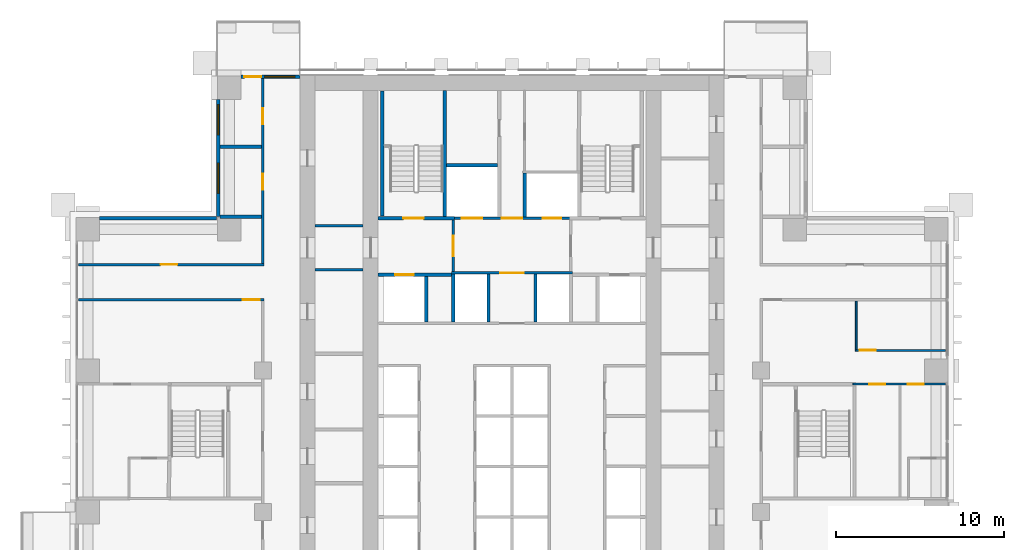
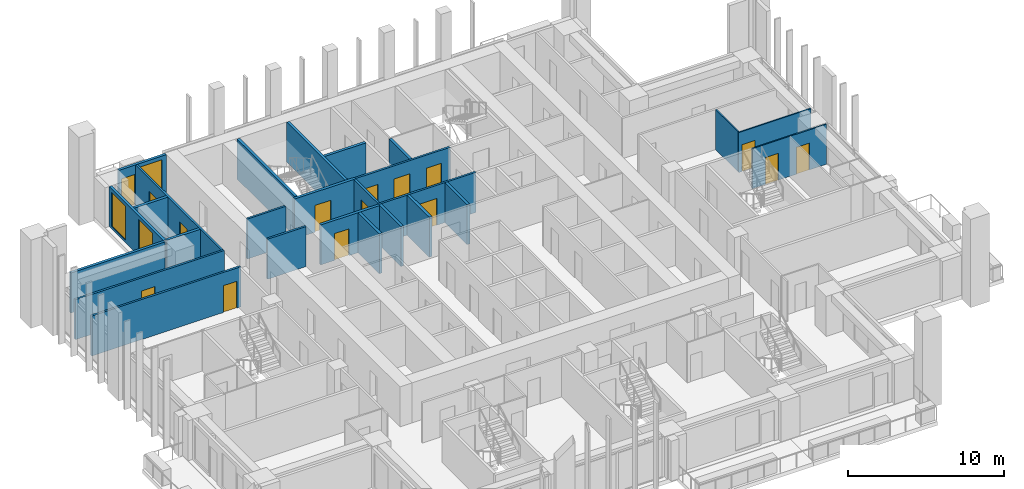
# One storey, part 12 of 19: 26 walls, 15 doors, 3 windows, 18 openings.
"""IFC4 building model written with IfcOpenShell, lengths in metres."""

from ifc_helpers import new_model, si_unit, direction, frame, frame_2d, origin, place, context, subcontext, project, spatial, rectangle, extrude, material, layer, layer_set, type_object, element, fill, save


model = new_model("IFC4")

# Units and contexts
model_context = context("Model", 3, precision=1e-05, world=origin(), true_north=direction((0.0, 1.0)))
body_context = subcontext(model_context, "Body", "Model", "MODEL_VIEW")
ifc_project = project(units=[si_unit("LENGTHUNIT", "METRE"), si_unit("AREAUNIT", "SQUARE_METRE"), si_unit("VOLUMEUNIT", "CUBIC_METRE"), si_unit("PLANEANGLEUNIT", "RADIAN"), si_unit("MASSUNIT", "GRAM", prefix="KILO")], contexts=[model_context])

# Site, building, storey
site_placement = place(None, origin())
site = spatial("IfcSite", under=ifc_project, at=site_placement, CompositionType="ELEMENT")
building_placement = place(site_placement, origin())
building = spatial("IfcBuilding", under=site, at=building_placement, Name="Vermilion Ogive Tower", CompositionType="ELEMENT")
storey_placement = place(building_placement, frame((0.0, 0.0, 62.10009765625)))
storey = spatial("IfcBuildingStorey", under=building, at=storey_placement, Name="L14", CompositionType="ELEMENT", Elevation=62.10009765625)

# Wall, openings, doors
ifc_material_1 = material(Name="Gypsum board partition on steel studs", Category="steel")
ifc_layer_1 = layer(ifc_material_1, 0.10009765625)
ifc_layer_set_1 = layer_set([ifc_layer_1], Name="Partition 100 inner")
wall_type_1 = type_object("IfcWallType", Name="Partition 100 inner", PredefinedType="PARTITIONING", material=ifc_layer_set_1)
wall_1_placement = place(storey_placement, frame((20.25, 3.39990234375, 0.0), z_axis=(0.0, 0.0, 1.0), x_axis=(1.0, 0.0, 0.0)))
wall_1 = element("IfcWall", 1, at=wall_1_placement, inside=storey, type_object=wall_type_1, Name="L14-W-W026", PredefinedType="PARTITIONING", context=body_context, shape_type="SweptSolid", body=[
    extrude(rectangle(XDim=5.5, YDim=0.10009765625, at=frame_2d((2.75, 0.0))), origin(), (0.0, 0.0, 1.0), 3.1298828125),
])
opening_1_placement = place(wall_1_placement, frame((3.27490234375, 0.0, 0.0)))
opening_1 = element("IfcOpeningElement", 2, at=opening_1_placement, cuts=wall_1, Name="Opening D1G5014", PredefinedType="OPENING", context=body_context, shape_type="SweptSolid", body=[
    extrude(rectangle(XDim=0.949951171875, YDim=2.10009765625, at=frame_2d((0.47509765625, 1.050048828125))), frame((0.0, 0.06005859375, 0.0), z_axis=(0.0, -1.0, 0.0), x_axis=(1.0, 0.0, 0.0)), (0.0, 0.0, 1.0), 0.1201171875),
])
opening_2_placement = place(wall_1_placement, frame((0.97509765625, 0.0, 0.0)))
opening_2 = element("IfcOpeningElement", 3, at=opening_2_placement, cuts=wall_1, Name="Opening D1G5017", PredefinedType="OPENING", context=body_context, shape_type="SweptSolid", body=[
    extrude(rectangle(XDim=0.949951171875, YDim=2.10009765625, at=frame_2d((0.47509765625, 1.050048828125))), frame((0.0, 0.06005859375, 0.0), z_axis=(0.0, -1.0, 0.0), x_axis=(1.0, 0.0, 0.0)), (0.0, 0.0, 1.0), 0.1201171875),
])
ifc_material_2 = material(Name="Timber door leaf", Category="wood")
door_type_1 = type_object("IfcDoorType", Name="Inner door 950 x 2100 FD30", OperationType="SINGLE_SWING_LEFT", PredefinedType="DOOR", material=ifc_material_2)
door_1_placement = place(opening_1_placement, origin())
door_1 = element("IfcDoor", 4, at=door_1_placement, inside=storey, type_object=door_type_1, Name="L14-D-D014", OperationType="SINGLE_SWING_RIGHT", OverallHeight=2.10009765625, OverallWidth=0.949951171875, PredefinedType="DOOR", context=body_context, shape_type="SweptSolid", body=[
    extrude(rectangle(XDim=0.949951171875, YDim=2.10009765625, at=frame_2d((0.47509765625, 1.050048828125))), frame((0.0, 0.02490234375, 0.0), z_axis=(0.0, -1.0, 0.0), x_axis=(1.0, 0.0, 0.0)), (0.0, 0.0, 1.0), 0.050048828125),
])
fill(opening_1, door_1)
door_2_placement = place(opening_2_placement, origin())
door_2 = element("IfcDoor", 5, at=door_2_placement, inside=storey, type_object=door_type_1, Name="L14-D-D017", OperationType="SINGLE_SWING_RIGHT", OverallHeight=2.10009765625, OverallWidth=0.949951171875, PredefinedType="DOOR", context=body_context, shape_type="SweptSolid", body=[
    extrude(rectangle(XDim=0.949951171875, YDim=2.10009765625, at=frame_2d((0.47509765625, 1.050048828125))), frame((0.0, 0.02490234375, 0.0), z_axis=(0.0, -1.0, 0.0), x_axis=(1.0, 0.0, 0.0)), (0.0, 0.0, 1.0), 0.050048828125),
])
fill(opening_2, door_2)

# Wall, opening, door
wall_2_placement = place(storey_placement, frame((20.39990234375, 5.39990234375, 0.0), z_axis=(0.0, 0.0, 1.0), x_axis=(1.0, 0.0, 0.0)))
wall_2 = element("IfcWall", 6, at=wall_2_placement, inside=storey, type_object=wall_type_1, Name="L14-W-W027", PredefinedType="PARTITIONING", context=body_context, shape_type="SweptSolid", body=[
    extrude(rectangle(XDim=5.35009765625, YDim=0.10009765625, at=frame_2d((2.675048828125, 0.0))), origin(), (0.0, 0.0, 1.0), 3.1298828125),
])
opening_3_placement = place(wall_2_placement, frame((0.25, 0.0, 0.0)))
opening_3 = element("IfcOpeningElement", 7, at=opening_3_placement, cuts=wall_2, Name="Opening D1G5015", PredefinedType="OPENING", context=body_context, shape_type="SweptSolid", body=[
    extrude(rectangle(XDim=0.949951171875, YDim=2.10009765625, at=frame_2d((0.47509765625, 1.050048828125))), frame((0.0, 0.06005859375, 0.0), z_axis=(0.0, -1.0, 0.0), x_axis=(1.0, 0.0, 0.0)), (0.0, 0.0, 1.0), 0.1201171875),
])
door_3_placement = place(opening_3_placement, origin())
door_3 = element("IfcDoor", 8, at=door_3_placement, inside=storey, type_object=door_type_1, Name="L14-D-D015", OperationType="SINGLE_SWING_LEFT", OverallHeight=2.10009765625, OverallWidth=0.949951171875, PredefinedType="DOOR", context=body_context, shape_type="SweptSolid", body=[
    extrude(rectangle(XDim=0.949951171875, YDim=2.10009765625, at=frame_2d((0.47509765625, 1.050048828125))), frame((0.0, 0.02490234375, 0.0), z_axis=(0.0, -1.0, 0.0), x_axis=(1.0, 0.0, 0.0)), (0.0, 0.0, 1.0), 0.050048828125),
])
fill(opening_3, door_3)

# Wall
wall_3_placement = place(storey_placement, frame((20.449951171875, 5.449951171875, 0.0), z_axis=(0.0, 0.0, 1.0), x_axis=(0.0, 1.0, 0.0)))
element("IfcWall", 9, at=wall_3_placement, inside=storey, type_object=wall_type_1, Name="L14-W-W058", PredefinedType="PARTITIONING", context=body_context, shape_type="SweptSolid", body=[
    extrude(rectangle(XDim=2.875, YDim=0.10009765625, at=frame_2d((1.4375, 0.0))), origin(), (0.0, 0.0, 1.0), 3.1298828125),
])

# Wall, opening, door
ifc_material_3 = material(Name="Gypsum board partition on steel studs", Category="steel")
ifc_layer_2 = layer(ifc_material_3, 0.14990234375)
ifc_layer_set_2 = layer_set([ifc_layer_2], Name="Partition 150 corridor")
wall_type_2 = type_object("IfcWallType", Name="Partition 150 corridor", PredefinedType="PARTITIONING", material=ifc_layer_set_2)
wall_4_placement = place(storey_placement, frame((-25.75, 8.39990234375, 0.0), z_axis=(0.0, 0.0, 1.0), x_axis=(1.0, 0.0, 0.0)))
wall_4 = element("IfcWall", 10, at=wall_4_placement, inside=storey, type_object=wall_type_2, Name="L14-W-W028", PredefinedType="PARTITIONING", context=body_context, shape_type="SweptSolid", body=[
    extrude(rectangle(XDim=11.02490234375, YDim=0.14990234375, at=frame_2d((5.512451171875, 0.0))), origin(), (0.0, 0.0, 1.0), 3.1298828125),
])
opening_4_placement = place(wall_4_placement, frame((9.75, 0.0, 0.0)))
opening_4 = element("IfcOpeningElement", 11, at=opening_4_placement, cuts=wall_4, Name="Opening D1G5003", PredefinedType="OPENING", context=body_context, shape_type="SweptSolid", body=[
    extrude(rectangle(XDim=1.0, YDim=2.10009765625, at=frame_2d((0.5, 1.050048828125))), frame((0.0, 0.0849609375, 0.0), z_axis=(0.0, -1.0, 0.0), x_axis=(1.0, 0.0, 0.0)), (0.0, 0.0, 1.0), 0.169921875),
])
ifc_material_4 = material(Name="Timber door leaf", Category="wood")
door_type_2 = type_object("IfcDoorType", Name="Unit door 1000 x 2100 FD30S", OperationType="SINGLE_SWING_LEFT", PredefinedType="DOOR", material=ifc_material_4)
door_4_placement = place(opening_4_placement, origin())
door_4 = element("IfcDoor", 12, at=door_4_placement, inside=storey, type_object=door_type_2, Name="L14-D-D003", OperationType="SINGLE_SWING_RIGHT", OverallHeight=2.10009765625, OverallWidth=1.0, PredefinedType="DOOR", context=body_context, shape_type="SweptSolid", body=[
    extrude(rectangle(XDim=1.0, YDim=2.10009765625, at=frame_2d((0.5, 1.050048828125))), frame((0.0, 0.02490234375, 0.0), z_axis=(0.0, -1.0, 0.0), x_axis=(1.0, 0.0, 0.0)), (0.0, 0.0, 1.0), 0.050048828125),
])
fill(opening_4, door_4)

wall_5_placement = place(storey_placement, frame((-25.75, 10.5, 0.0), z_axis=(0.0, 0.0, 1.0), x_axis=(1.0, 0.0, 0.0)))
wall_5 = element("IfcWall", 13, at=wall_5_placement, inside=storey, type_object=wall_type_2, Name="L14-W-W030", PredefinedType="PARTITIONING", context=body_context, shape_type="SweptSolid", body=[
    extrude(rectangle(XDim=11.02490234375, YDim=0.14990234375, at=frame_2d((5.512451171875, 0.0))), origin(), (0.0, 0.0, 1.0), 3.1298828125),
])
opening_5_placement = place(wall_5_placement, frame((4.875, 0.0, 0.0)))
opening_5 = element("IfcOpeningElement", 14, at=opening_5_placement, cuts=wall_5, Name="Opening D1G5033", PredefinedType="OPENING", context=body_context, shape_type="SweptSolid", body=[
    extrude(rectangle(XDim=1.0, YDim=2.10009765625, at=frame_2d((0.5, 1.050048828125))), frame((0.0, 0.0849609375, 0.0), z_axis=(0.0, -1.0, 0.0), x_axis=(1.0, 0.0, 0.0)), (0.0, 0.0, 1.0), 0.169921875),
])
door_5_placement = place(opening_5_placement, origin())
door_5 = element("IfcDoor", 15, at=door_5_placement, inside=storey, type_object=door_type_2, Name="L14-D-D033", OperationType="SINGLE_SWING_RIGHT", OverallHeight=2.10009765625, OverallWidth=1.0, PredefinedType="DOOR", context=body_context, shape_type="SweptSolid", body=[
    extrude(rectangle(XDim=1.0, YDim=2.10009765625, at=frame_2d((0.5, 1.050048828125))), frame((0.0, 0.02490234375, 0.0), z_axis=(0.0, -1.0, 0.0), x_axis=(1.0, 0.0, 0.0)), (0.0, 0.0, 1.0), 0.050048828125),
])
fill(opening_5, door_5)

# Wall, openings, doors
wall_6_placement = place(storey_placement, frame((-14.800048828125, 10.574951171875, 0.0), z_axis=(0.0, 0.0, 1.0), x_axis=(0.0, 1.0, 0.0)))
wall_6 = element("IfcWall", 16, at=wall_6_placement, inside=storey, type_object=wall_type_2, Name="L14-W-W043", PredefinedType="PARTITIONING", context=body_context, shape_type="SweptSolid", body=[
    extrude(rectangle(XDim=10.97509765625, YDim=0.14990234375, at=frame_2d((5.487548828125, 0.0))), origin(), (0.0, 0.0, 1.0), 3.1298828125),
])
opening_6_placement = place(wall_6_placement, frame((4.375, 0.0, 0.0)))
opening_6 = element("IfcOpeningElement", 17, at=opening_6_placement, cuts=wall_6, Name="Opening D1G5006", PredefinedType="OPENING", context=body_context, shape_type="SweptSolid", body=[
    extrude(rectangle(XDim=0.949951171875, YDim=2.10009765625, at=frame_2d((0.47509765625, 1.050048828125))), frame((0.0, 0.0849609375, 0.0), z_axis=(0.0, -1.0, 0.0), x_axis=(1.0, 0.0, 0.0)), (0.0, 0.0, 1.0), 0.169921875),
])
opening_7_placement = place(wall_6_placement, frame((8.275146484375, 0.0, 0.0)))
opening_7 = element("IfcOpeningElement", 18, at=opening_7_placement, cuts=wall_6, Name="Opening D1G5007", PredefinedType="OPENING", context=body_context, shape_type="SweptSolid", body=[
    extrude(rectangle(XDim=0.949951171875, YDim=2.10009765625, at=frame_2d((0.47509765625, 1.050048828125))), frame((0.0, 0.0849609375, 0.0), z_axis=(0.0, -1.0, 0.0), x_axis=(1.0, 0.0, 0.0)), (0.0, 0.0, 1.0), 0.169921875),
])
ifc_material_5 = material(Name="Timber door leaf", Category="wood")
door_type_3 = type_object("IfcDoorType", Name="Unit door 950 x 2100 FD30S", OperationType="SINGLE_SWING_LEFT", PredefinedType="DOOR", material=ifc_material_5)
door_6_placement = place(opening_6_placement, origin())
door_6 = element("IfcDoor", 19, at=door_6_placement, inside=storey, type_object=door_type_3, Name="L14-D-D006", OperationType="SINGLE_SWING_LEFT", OverallHeight=2.10009765625, OverallWidth=0.949951171875, PredefinedType="DOOR", context=body_context, shape_type="SweptSolid", body=[
    extrude(rectangle(XDim=0.949951171875, YDim=2.10009765625, at=frame_2d((0.47509765625, 1.050048828125))), frame((0.0, 0.02490234375, 0.0), z_axis=(0.0, -1.0, 0.0), x_axis=(1.0, 0.0, 0.0)), (0.0, 0.0, 1.0), 0.050048828125),
])
fill(opening_6, door_6)
door_7_placement = place(opening_7_placement, origin())
door_7 = element("IfcDoor", 20, at=door_7_placement, inside=storey, type_object=door_type_3, Name="L14-D-D007", OperationType="SINGLE_SWING_RIGHT", OverallHeight=2.10009765625, OverallWidth=0.949951171875, PredefinedType="DOOR", context=body_context, shape_type="SweptSolid", body=[
    extrude(rectangle(XDim=0.949951171875, YDim=2.10009765625, at=frame_2d((0.47509765625, 1.050048828125))), frame((0.0, 0.02490234375, 0.0), z_axis=(0.0, -1.0, 0.0), x_axis=(1.0, 0.0, 0.0)), (0.0, 0.0, 1.0), 0.050048828125),
])
fill(opening_7, door_7)

# Wall, opening, door
wall_7_placement = place(storey_placement, frame((-3.60009765625, 10.0, 0.0), z_axis=(0.0, 0.0, 1.0), x_axis=(1.0, 0.0, 0.0)))
wall_7 = element("IfcWall", 21, at=wall_7_placement, inside=storey, type_object=wall_type_2, Name="L14-CK-W-W016", PredefinedType="PARTITIONING", context=body_context, shape_type="SweptSolid", body=[
    extrude(rectangle(XDim=7.2001953125, YDim=0.14990234375, at=frame_2d((3.60009765625, 0.0))), origin(), (0.0, 0.0, 1.0), 3.1298828125),
])
opening_8_placement = place(wall_7_placement, frame((2.900146484375, 0.0, 0.0)))
opening_8 = element("IfcOpeningElement", 22, at=opening_8_placement, cuts=wall_7, Name="Opening DAA094", PredefinedType="OPENING", context=body_context, shape_type="SweptSolid", body=[
    extrude(rectangle(XDim=1.39990234375, YDim=2.10009765625, at=frame_2d((0.699951171875, 1.050048828125))), frame((0.0, 0.0849609375, 0.0), z_axis=(0.0, -1.0, 0.0), x_axis=(1.0, 0.0, 0.0)), (0.0, 0.0, 1.0), 0.169921875),
])
ifc_material_6 = material(Name="Timber door leaf", Category="wood")
door_type_4 = type_object("IfcDoorType", Name="Lobby door 1400 x 2100 FD60S", OperationType="SINGLE_SWING_LEFT", PredefinedType="DOOR", material=ifc_material_6)
door_8_placement = place(opening_8_placement, origin())
door_8 = element("IfcDoor", 23, at=door_8_placement, inside=storey, type_object=door_type_4, Name="L14-CK-D-D016", OperationType="SINGLE_SWING_RIGHT", OverallHeight=2.10009765625, OverallWidth=1.39990234375, PredefinedType="DOOR", context=body_context, shape_type="SweptSolid", body=[
    extrude(rectangle(XDim=1.39990234375, YDim=2.10009765625, at=frame_2d((0.699951171875, 1.050048828125))), frame((0.0, 0.02490234375, 0.0), z_axis=(0.0, -1.0, 0.0), x_axis=(1.0, 0.0, 0.0)), (0.0, 0.0, 1.0), 0.050048828125),
])
fill(opening_8, door_8)

# Wall, openings, doors
wall_8_placement = place(storey_placement, frame((-3.574951171875, 13.25, 0.0), z_axis=(0.0, 0.0, 1.0), x_axis=(1.0, 0.0, 0.0)))
wall_8 = element("IfcWall", 24, at=wall_8_placement, inside=storey, type_object=wall_type_2, Name="L14-CK-W-W018", PredefinedType="PARTITIONING", context=body_context, shape_type="SweptSolid", body=[
    extrude(rectangle(XDim=7.14990234375, YDim=0.14990234375, at=frame_2d((3.574951171875, 0.0))), origin(), (0.0, 0.0, 1.0), 3.1298828125),
])
opening_9_placement = place(wall_8_placement, frame((0.599853515625, 0.0, 0.0)))
opening_9 = element("IfcOpeningElement", 25, at=opening_9_placement, cuts=wall_8, Name="Opening DAA113", PredefinedType="OPENING", context=body_context, shape_type="SweptSolid", body=[
    extrude(rectangle(XDim=1.199951171875, YDim=2.10009765625, at=frame_2d((0.60009765625, 1.050048828125))), frame((0.0, 0.0849609375, 0.0), z_axis=(0.0, -1.0, 0.0), x_axis=(1.0, 0.0, 0.0)), (0.0, 0.0, 1.0), 0.169921875),
])
opening_10_placement = place(wall_8_placement, frame((5.39990234375, 0.0, 0.0)))
opening_10 = element("IfcOpeningElement", 26, at=opening_10_placement, cuts=wall_8, Name="Opening DAA104", PredefinedType="OPENING", context=body_context, shape_type="SweptSolid", body=[
    extrude(rectangle(XDim=1.10009765625, YDim=2.10009765625, at=frame_2d((0.550048828125, 1.050048828125))), frame((0.0, 0.0849609375, 0.0), z_axis=(0.0, -1.0, 0.0), x_axis=(1.0, 0.0, 0.0)), (0.0, 0.0, 1.0), 0.169921875),
])
opening_11_placement = place(wall_8_placement, frame((2.974853515625, 0.0, 0.0)))
opening_11 = element("IfcOpeningElement", 27, at=opening_11_placement, cuts=wall_8, Name="Opening DAA095", PredefinedType="OPENING", context=body_context, shape_type="SweptSolid", body=[
    extrude(rectangle(XDim=1.199951171875, YDim=2.10009765625, at=frame_2d((0.60009765625, 1.050048828125))), frame((0.0, 0.0849609375, 0.0), z_axis=(0.0, -1.0, 0.0), x_axis=(1.0, 0.0, 0.0)), (0.0, 0.0, 1.0), 0.169921875),
])
ifc_material_7 = material(Name="Stainless steel", Category="steel")
door_type_5 = type_object("IfcDoorType", Name="Lift landing door 1100 x 2100", OperationType="SLIDING_TO_LEFT", PredefinedType="DOOR", material=ifc_material_7)
door_9_placement = place(opening_10_placement, origin())
door_9 = element("IfcDoor", 28, at=door_9_placement, inside=storey, type_object=door_type_5, Name="L14-CK-D-D018", OperationType="SLIDING_TO_LEFT", OverallHeight=2.10009765625, OverallWidth=1.10009765625, PredefinedType="DOOR", context=body_context, shape_type="SweptSolid", body=[
    extrude(rectangle(XDim=1.10009765625, YDim=2.10009765625, at=frame_2d((0.550048828125, 1.050048828125))), frame((0.0, 0.02490234375, 0.0), z_axis=(0.0, -1.0, 0.0), x_axis=(1.0, 0.0, 0.0)), (0.0, 0.0, 1.0), 0.050048828125),
])
fill(opening_10, door_9)
ifc_material_8 = material(Name="Stainless steel", Category="steel")
door_type_6 = type_object("IfcDoorType", Name="Lift landing door 1200 x 2100", OperationType="SLIDING_TO_LEFT", PredefinedType="DOOR", material=ifc_material_8)
door_10_placement = place(opening_9_placement, origin())
door_10 = element("IfcDoor", 29, at=door_10_placement, inside=storey, type_object=door_type_6, Name="L14-CK-D-D017", OperationType="SLIDING_TO_RIGHT", OverallHeight=2.10009765625, OverallWidth=1.199951171875, PredefinedType="DOOR", context=body_context, shape_type="SweptSolid", body=[
    extrude(rectangle(XDim=1.199951171875, YDim=2.10009765625, at=frame_2d((0.60009765625, 1.050048828125))), frame((0.0, 0.02490234375, 0.0), z_axis=(0.0, -1.0, 0.0), x_axis=(1.0, 0.0, 0.0)), (0.0, 0.0, 1.0), 0.050048828125),
])
fill(opening_9, door_10)
ifc_material_9 = material(Name="Timber door leaf", Category="wood")
door_type_7 = type_object("IfcDoorType", Name="Service door 1200 x 2100 FD60", OperationType="SINGLE_SWING_LEFT", PredefinedType="DOOR", material=ifc_material_9)
door_11_placement = place(opening_11_placement, origin())
door_11 = element("IfcDoor", 30, at=door_11_placement, inside=storey, type_object=door_type_7, Name="L14-CK-D-D019", OperationType="SINGLE_SWING_RIGHT", OverallHeight=2.10009765625, OverallWidth=1.199951171875, PredefinedType="DOOR", context=body_context, shape_type="SweptSolid", body=[
    extrude(rectangle(XDim=1.199951171875, YDim=2.10009765625, at=frame_2d((0.60009765625, 1.050048828125))), frame((0.0, 0.02490234375, 0.0), z_axis=(0.0, -1.0, 0.0), x_axis=(1.0, 0.0, 0.0)), (0.0, 0.0, 1.0), 0.050048828125),
])
fill(opening_11, door_11)

# Wall, opening, door
wall_9_placement = place(storey_placement, frame((-3.5, 10.074951171875, 0.0), z_axis=(0.0, 0.0, 1.0), x_axis=(0.0, 1.0, 0.0)))
wall_9 = element("IfcWall", 31, at=wall_9_placement, inside=storey, type_object=wall_type_2, Name="L14-CK-W-W026", PredefinedType="PARTITIONING", context=body_context, shape_type="SweptSolid", body=[
    extrude(rectangle(XDim=3.074951171875, YDim=0.14990234375, at=frame_2d((1.53759765625, 0.0))), origin(), (0.0, 0.0, 1.0), 3.1298828125),
])
opening_12_placement = place(wall_9_placement, frame((0.925048828125, 0.0, 0.0)))
opening_12 = element("IfcOpeningElement", 32, at=opening_12_placement, cuts=wall_9, Name="Opening DAA091", PredefinedType="OPENING", context=body_context, shape_type="SweptSolid", body=[
    extrude(rectangle(XDim=1.199951171875, YDim=2.10009765625, at=frame_2d((0.60009765625, 1.050048828125))), frame((0.0, 0.0849609375, 0.0), z_axis=(0.0, -1.0, 0.0), x_axis=(1.0, 0.0, 0.0)), (0.0, 0.0, 1.0), 0.169921875),
])
ifc_material_10 = material(Name="Timber door leaf", Category="wood")
door_type_8 = type_object("IfcDoorType", Name="Lobby door 1200 x 2100 FD60S", OperationType="SINGLE_SWING_LEFT", PredefinedType="DOOR", material=ifc_material_10)
door_12_placement = place(opening_12_placement, origin())
door_12 = element("IfcDoor", 33, at=door_12_placement, inside=storey, type_object=door_type_8, Name="L14-CK-D-D022", OperationType="SINGLE_SWING_RIGHT", OverallHeight=2.10009765625, OverallWidth=1.199951171875, PredefinedType="DOOR", context=body_context, shape_type="SweptSolid", body=[
    extrude(rectangle(XDim=1.199951171875, YDim=2.10009765625, at=frame_2d((0.60009765625, 1.050048828125))), frame((0.0, 0.02490234375, 0.0), z_axis=(0.0, -1.0, 0.0), x_axis=(1.0, 0.0, 0.0)), (0.0, 0.0, 1.0), 0.050048828125),
])
fill(opening_12, door_12)

# Walls
for number, where, z_axis, x_axis, name in (
    (34, (-11.698974609375, 10.199951171875, 0.0), (0.0, 0.0, 1.0), (1.0, 0.0, 0.0), "L14-CKW-W-W004"),
    (35, (-11.698974609375, 12.800048828125, 0.0), (0.0, 0.0, 1.0), (1.0, 0.0, 0.0), "L14-CKW-W-W005"),
):
    element("IfcWall", number, at=place(storey_placement, frame(where, z_axis=z_axis, x_axis=x_axis)), inside=storey, type_object=wall_type_2, Name=name, PredefinedType="PARTITIONING", context=body_context, shape_type="SweptSolid", body=[
        extrude(rectangle(XDim=2.847900390625, YDim=0.14990234375, at=frame_2d((1.423828125, 0.0))), origin(), (0.0, 0.0, 1.0), 3.1298828125),
    ])
ifc_material_11 = material(Name="Gypsum board partition on steel studs", Category="steel")
ifc_layer_3 = layer(ifc_material_11, 0.199951171875)
ifc_layer_set_3 = layer_set([ifc_layer_3], Name="Partition 200 party")
wall_type_3 = type_object("IfcWallType", Name="Partition 200 party", PredefinedType="PARTITIONING", material=ifc_layer_set_3)
for number, where, z_axis, x_axis, name in (
    (36, (-17.35009765625, 13.35009765625, 0.0), (0.0, 0.0, 1.0), (1.0, 0.0, 0.0), "L14-W-W032"),
    (37, (-17.35009765625, 17.5, 0.0), (0.0, 0.0, 1.0), (1.0, 0.0, 0.0), "L14-W-W034"),
):
    element("IfcWall", number, at=place(storey_placement, frame(where, z_axis=z_axis, x_axis=x_axis)), inside=storey, type_object=wall_type_3, Name=name, PredefinedType="PARTITIONING", context=body_context, shape_type="SweptSolid", body=[
        extrude(rectangle(XDim=2.47509765625, YDim=0.199951171875, at=frame_2d((1.237548828125, 0.0))), origin(), (0.0, 0.0, 1.0), 3.1298828125),
    ])

# Wall, opening, door
wall_10_placement = place(storey_placement, frame((-7.948974609375, 9.89990234375, 0.0), z_axis=(0.0, 0.0, 1.0), x_axis=(1.0, 0.0, 0.0)))
wall_10 = element("IfcWall", 38, at=wall_10_placement, inside=storey, type_object=wall_type_3, Name="L14-CK-W-W014", PredefinedType="PARTITIONING", context=body_context, shape_type="SweptSolid", body=[
    extrude(rectangle(XDim=4.348876953125, YDim=0.199951171875, at=frame_2d((2.17431640625, 0.0))), origin(), (0.0, 0.0, 1.0), 3.1298828125),
])
opening_13_placement = place(wall_10_placement, frame((0.9990234375, 0.0, 0.0)))
opening_13 = element("IfcOpeningElement", 39, at=opening_13_placement, cuts=wall_10, Name="Opening DAA112", PredefinedType="OPENING", context=body_context, shape_type="SweptSolid", body=[
    extrude(rectangle(XDim=1.10009765625, YDim=2.10009765625, at=frame_2d((0.550048828125, 1.050048828125))), frame((0.0, 0.10986328125, 0.0), z_axis=(0.0, -1.0, 0.0), x_axis=(1.0, 0.0, 0.0)), (0.0, 0.0, 1.0), 0.219970703125),
])
door_13_placement = place(opening_13_placement, origin())
door_13 = element("IfcDoor", 40, at=door_13_placement, inside=storey, type_object=door_type_5, Name="L14-CK-D-D012", OperationType="SLIDING_TO_RIGHT", OverallHeight=2.10009765625, OverallWidth=1.10009765625, PredefinedType="DOOR", context=body_context, shape_type="SweptSolid", body=[
    extrude(rectangle(XDim=1.10009765625, YDim=2.10009765625, at=frame_2d((0.550048828125, 1.050048828125))), frame((0.0, 0.02490234375, 0.0), z_axis=(0.0, -1.0, 0.0), x_axis=(1.0, 0.0, 0.0)), (0.0, 0.0, 1.0), 0.050048828125),
])
fill(opening_13, door_13)

# Walls
wall_11_placement = place(storey_placement, frame((-3.89990234375, 16.39990234375, 0.0), z_axis=(0.0, 0.0, 1.0), x_axis=(1.0, 0.0, 0.0)))
element("IfcWall", 41, at=wall_11_placement, inside=storey, type_object=wall_type_3, Name="L14-CK-W-W021", PredefinedType="PARTITIONING", context=body_context, shape_type="SweptSolid", body=[
    extrude(rectangle(XDim=3.0498046875, YDim=0.199951171875, at=frame_2d((1.52490234375, 0.0))), origin(), (0.0, 0.0, 1.0), 3.1298828125),
])
wall_12_placement = place(storey_placement, frame((-5.10009765625, 7.074951171875, 0.0), z_axis=(0.0, 0.0, 1.0), x_axis=(0.0, 1.0, 0.0)))
element("IfcWall", 42, at=wall_12_placement, inside=storey, type_object=wall_type_3, Name="L14-CK-W-W023", PredefinedType="PARTITIONING", context=body_context, shape_type="SweptSolid", body=[
    extrude(rectangle(XDim=2.72509765625, YDim=0.199951171875, at=frame_2d((1.362548828125, 0.0))), origin(), (0.0, 0.0, 1.0), 3.1298828125),
])
for number, where, z_axis, x_axis, name in (
    (43, (-3.5, 7.074951171875, 0.0), (0.0, 0.0, 1.0), (0.0, 1.0, 0.0), "L14-CK-W-W025"),
    (44, (-1.39990234375, 7.074951171875, 0.0), (0.0, 0.0, 1.0), (0.0, 1.0, 0.0), "L14-CK-W-W028"),
):
    element("IfcWall", number, at=place(storey_placement, frame(where, z_axis=z_axis, x_axis=x_axis)), inside=storey, type_object=wall_type_3, Name=name, PredefinedType="PARTITIONING", context=body_context, shape_type="SweptSolid", body=[
        extrude(rectangle(XDim=2.85009765625, YDim=0.199951171875, at=frame_2d((1.425048828125, 0.0))), origin(), (0.0, 0.0, 1.0), 3.1298828125),
    ])
wall_13_placement = place(storey_placement, frame((0.75, 13.324951171875, 0.0), z_axis=(0.0, 0.0, 1.0), x_axis=(0.0, 1.0, 0.0)))
element("IfcWall", 45, at=wall_13_placement, inside=storey, type_object=wall_type_3, Name="L14-CK-W-W031", PredefinedType="PARTITIONING", context=body_context, shape_type="SweptSolid", body=[
    extrude(rectangle(XDim=2.625, YDim=0.199951171875, at=frame_2d((1.3125, 0.0))), origin(), (0.0, 0.0, 1.0), 3.1298828125),
])
wall_14_placement = place(storey_placement, frame((1.39990234375, 7.074951171875, 0.0), z_axis=(0.0, 0.0, 1.0), x_axis=(0.0, 1.0, 0.0)))
element("IfcWall", 46, at=wall_14_placement, inside=storey, type_object=wall_type_3, Name="L14-CK-W-W033", PredefinedType="PARTITIONING", context=body_context, shape_type="SweptSolid", body=[
    extrude(rectangle(XDim=2.85009765625, YDim=0.199951171875, at=frame_2d((1.425048828125, 0.0))), origin(), (0.0, 0.0, 1.0), 3.1298828125),
])

# Wall, opening, door
ifc_material_12 = material(Name="Concrete B60", Category="concrete")
ifc_layer_4 = layer(ifc_material_12, 0.199951171875)
ifc_layer_set_4 = layer_set([ifc_layer_4], Name="Stair shaft wall 200 Concrete B60")
wall_type_4 = type_object("IfcWallType", Name="Stair shaft wall 200 Concrete B60", PredefinedType="SOLIDWALL", material=ifc_layer_set_4)
wall_15_placement = place(storey_placement, frame((-7.948974609375, 13.25, 0.0), z_axis=(0.0, 0.0, 1.0), x_axis=(1.0, 0.0, 0.0)))
wall_15 = element("IfcWall", 47, at=wall_15_placement, inside=storey, type_object=wall_type_4, Name="L14-CK-W-W017", PredefinedType="SOLIDWALL", context=body_context, shape_type="SweptSolid", body=[
    extrude(rectangle(XDim=4.52392578125, YDim=0.199951171875, at=frame_2d((2.261962890625, 0.0))), origin(), (0.0, 0.0, 1.0), 3.1298828125),
])
opening_14_placement = place(wall_15_placement, frame((1.4990234375, 0.0, 0.0)))
opening_14 = element("IfcOpeningElement", 48, at=opening_14_placement, cuts=wall_15, Name="Opening DAA100", PredefinedType="OPENING", context=body_context, shape_type="SweptSolid", body=[
    extrude(rectangle(XDim=1.199951171875, YDim=2.10009765625, at=frame_2d((0.60009765625, 1.050048828125))), frame((0.0, 0.10986328125, 0.0), z_axis=(0.0, -1.0, 0.0), x_axis=(1.0, 0.0, 0.0)), (0.0, 0.0, 1.0), 0.219970703125),
])
ifc_material_13 = material(Name="Timber door leaf", Category="wood")
door_type_9 = type_object("IfcDoorType", Name="Stair door 1200 x 2100 FD60S", OperationType="SINGLE_SWING_LEFT", PredefinedType="DOOR", material=ifc_material_13)
door_14_placement = place(opening_14_placement, origin())
door_14 = element("IfcDoor", 49, at=door_14_placement, inside=storey, type_object=door_type_9, Name="L14-CK-D-D011", OperationType="SINGLE_SWING_LEFT", OverallHeight=2.10009765625, OverallWidth=1.199951171875, PredefinedType="DOOR", context=body_context, shape_type="SweptSolid", body=[
    extrude(rectangle(XDim=1.199951171875, YDim=2.10009765625, at=frame_2d((0.60009765625, 1.050048828125))), frame((0.0, 0.02490234375, 0.0), z_axis=(0.0, -1.0, 0.0), x_axis=(1.0, 0.0, 0.0)), (0.0, 0.0, 1.0), 0.050048828125),
])
fill(opening_14, door_14)

# Walls
wall_16_placement = place(storey_placement, frame((-4.0, 13.35009765625, 0.0), z_axis=(0.0, 0.0, 1.0), x_axis=(0.0, 1.0, 0.0)))
element("IfcWall", 50, at=wall_16_placement, inside=storey, type_object=wall_type_4, Name="L14-CK-W-W024", PredefinedType="SOLIDWALL", context=body_context, shape_type="SweptSolid", body=[
    extrude(rectangle(XDim=7.4990234375, YDim=0.199951171875, at=frame_2d((3.74951171875, 0.0))), origin(), (0.0, 0.0, 1.0), 3.1298828125),
])
wall_17_placement = place(storey_placement, frame((-7.699951171875, 13.39990234375, 0.0), z_axis=(0.0, 0.0, 1.0), x_axis=(0.0, 1.0, 0.0)))
element("IfcWall", 51, at=wall_17_placement, inside=storey, type_object=wall_type_4, Name="L14-SW-R021-W1", PredefinedType="SOLIDWALL", context=body_context, shape_type="SweptSolid", body=[
    extrude(rectangle(XDim=7.400146484375, YDim=0.199951171875, at=frame_2d((3.7001953125, 0.0))), origin(), (0.0, 0.0, 1.0), 3.1298828125),
])

# Wall, openings, door, window
ifc_material_14 = material(Name="Aluminium window wall framing", Category="aluminium")
ifc_layer_5 = layer(ifc_material_14, 0.199951171875)
ifc_layer_set_5 = layer_set([ifc_layer_5], Name="Window wall")
wall_type_5 = type_object("IfcWallType", Name="Window wall", PredefinedType="STANDARD", material=ifc_layer_set_5)
wall_18_placement = place(storey_placement, frame((-12.60009765625, 21.64990234375, 0.0), z_axis=(0.0, 0.0, 1.0), x_axis=(-1.0, 0.0, 0.0)))
wall_18 = element("IfcWall", 52, at=wall_18_placement, inside=storey, type_object=wall_type_5, Name="Window wall N21", PredefinedType="STANDARD", context=body_context, shape_type="SweptSolid", body=[
    extrude(rectangle(XDim=3.5, YDim=0.199951171875, at=frame_2d((1.75, 0.0))), origin(), (0.0, 0.0, 1.0), 3.1298828125),
])
opening_15_placement = place(wall_18_placement, frame((0.300048828125, 0.0, 0.199951171875)))
opening_15 = element("IfcOpeningElement", 53, at=opening_15_placement, cuts=wall_18, Name="Opening W1-N296", PredefinedType="OPENING", context=body_context, shape_type="SweptSolid", body=[
    extrude(rectangle(XDim=1.800048828125, YDim=2.64990234375, at=frame_2d((0.89990234375, 1.324951171875))), frame((0.0, 0.10986328125, 0.0), z_axis=(0.0, -1.0, 0.0), x_axis=(1.0, 0.0, 0.0)), (0.0, 0.0, 1.0), 0.219970703125),
])
opening_16_placement = place(wall_18_placement, frame((2.300048828125, 0.0, 0.0)))
opening_16 = element("IfcOpeningElement", 54, at=opening_16_placement, cuts=wall_18, Name="Opening D1-N296", PredefinedType="OPENING", context=body_context, shape_type="SweptSolid", body=[
    extrude(rectangle(XDim=1.0, YDim=2.39990234375, at=frame_2d((0.5, 1.199951171875))), frame((0.0, 0.10986328125, 0.0), z_axis=(0.0, -1.0, 0.0), x_axis=(1.0, 0.0, 0.0)), (0.0, 0.0, 1.0), 0.219970703125),
])
ifc_material_15 = material(Name="Aluminium framed glazed door", Category="aluminium")
door_type_10 = type_object("IfcDoorType", Name="Balcony door D1", OperationType="SINGLE_SWING_LEFT", PredefinedType="DOOR", material=ifc_material_15)
door_15_placement = place(opening_16_placement, origin())
door_15 = element("IfcDoor", 55, at=door_15_placement, inside=storey, type_object=door_type_10, Name="Balcony door N296", OperationType="SINGLE_SWING_LEFT", OverallHeight=2.39990234375, OverallWidth=1.0, PredefinedType="DOOR", context=body_context, shape_type="SweptSolid", body=[
    extrude(rectangle(XDim=1.0, YDim=2.39990234375, at=frame_2d((0.5, 1.199951171875))), frame((0.0, 0.02490234375, 0.0), z_axis=(0.0, -1.0, 0.0), x_axis=(1.0, 0.0, 0.0)), (0.0, 0.0, 1.0), 0.050048828125),
])
fill(opening_16, door_15)
ifc_material_16 = material(Name="Aluminium framed double glazing", Category="aluminium")
window_type = type_object("IfcWindowType", Name="Guest window W1", PartitioningType="SINGLE_PANEL", PredefinedType="WINDOW", material=ifc_material_16)
window_1_placement = place(opening_15_placement, origin())
window_1 = element("IfcWindow", 56, at=window_1_placement, inside=storey, type_object=window_type, Name="Window N296", OverallHeight=2.64990234375, OverallWidth=1.800048828125, PartitioningType="SINGLE_PANEL", PredefinedType="WINDOW", context=body_context, shape_type="SweptSolid", body=[
    extrude(rectangle(XDim=1.800048828125, YDim=2.64990234375, at=frame_2d((0.89990234375, 1.324951171875))), frame((0.0, 0.030029296875, 0.0), z_axis=(0.0, -1.0, 0.0), x_axis=(1.0, 0.0, 0.0)), (0.0, 0.0, 1.0), 0.06005859375),
])
fill(opening_15, window_1)

# Wall, openings, windows
wall_19_placement = place(storey_placement, frame((-17.449951171875, 20.300048828125, 0.0), z_axis=(0.0, 0.0, 1.0), x_axis=(0.0, -1.0, 0.0)))
wall_19 = element("IfcWall", 57, at=wall_19_placement, inside=storey, type_object=wall_type_5, Name="Window wall X51", PredefinedType="STANDARD", context=body_context, shape_type="SweptSolid", body=[
    extrude(rectangle(XDim=6.949951171875, YDim=0.199951171875, at=frame_2d((3.47509765625, 0.0))), origin(), (0.0, 0.0, 1.0), 3.1298828125),
])
opening_17_placement = place(wall_19_placement, frame((3.77490234375, 0.0, 0.199951171875)))
opening_17 = element("IfcOpeningElement", 58, at=opening_17_placement, cuts=wall_19, Name="Opening W1-X503", PredefinedType="OPENING", context=body_context, shape_type="SweptSolid", body=[
    extrude(rectangle(XDim=1.800048828125, YDim=2.64990234375, at=frame_2d((0.89990234375, 1.324951171875))), frame((0.0, 0.10986328125, 0.0), z_axis=(0.0, -1.0, 0.0), x_axis=(1.0, 0.0, 0.0)), (0.0, 0.0, 1.0), 0.219970703125),
])
opening_18_placement = place(wall_19_placement, frame((0.300048828125, 0.0, 0.199951171875)))
opening_18 = element("IfcOpeningElement", 59, at=opening_18_placement, cuts=wall_19, Name="Opening W1-X504", PredefinedType="OPENING", context=body_context, shape_type="SweptSolid", body=[
    extrude(rectangle(XDim=1.800048828125, YDim=2.64990234375, at=frame_2d((0.89990234375, 1.324951171875))), frame((0.0, 0.10986328125, 0.0), z_axis=(0.0, -1.0, 0.0), x_axis=(1.0, 0.0, 0.0)), (0.0, 0.0, 1.0), 0.219970703125),
])
window_2_placement = place(opening_17_placement, origin())
window_2 = element("IfcWindow", 60, at=window_2_placement, inside=storey, type_object=window_type, Name="Window X503", OverallHeight=2.64990234375, OverallWidth=1.800048828125, PartitioningType="SINGLE_PANEL", PredefinedType="WINDOW", context=body_context, shape_type="SweptSolid", body=[
    extrude(rectangle(XDim=1.800048828125, YDim=2.64990234375, at=frame_2d((0.89990234375, 1.324951171875))), frame((0.0, 0.030029296875, 0.0), z_axis=(0.0, -1.0, 0.0), x_axis=(1.0, 0.0, 0.0)), (0.0, 0.0, 1.0), 0.06005859375),
])
fill(opening_17, window_2)
window_3_placement = place(opening_18_placement, origin())
window_3 = element("IfcWindow", 61, at=window_3_placement, inside=storey, type_object=window_type, Name="Window X504", OverallHeight=2.64990234375, OverallWidth=1.800048828125, PartitioningType="SINGLE_PANEL", PredefinedType="WINDOW", context=body_context, shape_type="SweptSolid", body=[
    extrude(rectangle(XDim=1.800048828125, YDim=2.64990234375, at=frame_2d((0.89990234375, 1.324951171875))), frame((0.0, 0.030029296875, 0.0), z_axis=(0.0, -1.0, 0.0), x_axis=(1.0, 0.0, 0.0)), (0.0, 0.0, 1.0), 0.06005859375),
])
fill(opening_18, window_3)

# Wall
wall_20_placement = place(storey_placement, frame((-17.550048828125, 13.25, 0.0), z_axis=(0.0, 0.0, 1.0), x_axis=(-1.0, 0.0, 0.0)))
element("IfcWall", 62, at=wall_20_placement, inside=storey, type_object=wall_type_5, Name="Window wall X61", PredefinedType="STANDARD", context=body_context, shape_type="SweptSolid", body=[
    extrude(rectangle(XDim=6.949951171875, YDim=0.199951171875, at=frame_2d((3.47509765625, 0.0))), origin(), (0.0, 0.0, 1.0), 3.1298828125),
])

save(model, "model.ifc")
